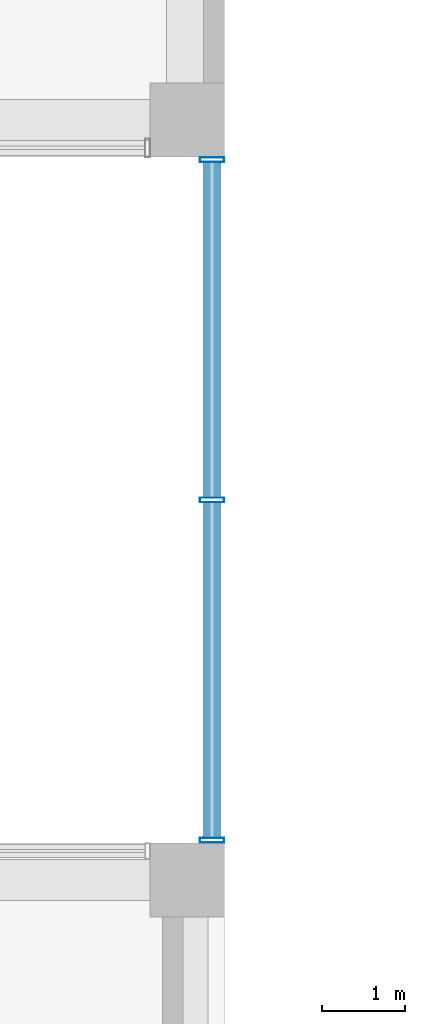
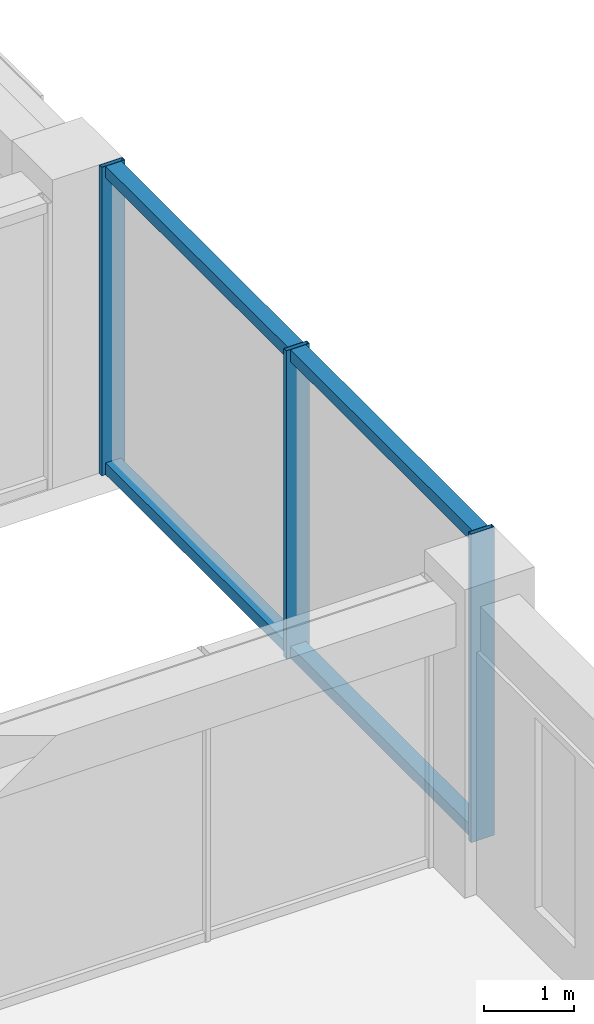
# One storey, part 19 of 36: 7 members, 1 element without a shape of its own.
"""IFC4 building model written with IfcOpenShell, lengths in metres."""

from ifc_helpers import new_model, si_unit, direction, frame, origin, origin_2d, place, context, subcontext, project, spatial, hollow_rectangle, extrude, material, layer, layer_set, material_profile, profile_set, type_object, element, aggregate, save


model = new_model("IFC4")

# Units and contexts
model_context = context("Model", 3, precision=1e-05, world=origin(), true_north=direction((0.0, 1.0)))
body_context = subcontext(model_context, "Body", "Model", "MODEL_VIEW")
ifc_project = project(units=[si_unit("LENGTHUNIT", "METRE"), si_unit("AREAUNIT", "SQUARE_METRE"), si_unit("VOLUMEUNIT", "CUBIC_METRE"), si_unit("PLANEANGLEUNIT", "RADIAN"), si_unit("MASSUNIT", "GRAM", prefix="KILO")], contexts=[model_context])

# Site, building, storey
site_placement = place(None, origin())
site = spatial("IfcSite", under=ifc_project, at=site_placement, CompositionType="ELEMENT")
building_placement = place(site_placement, origin())
building = spatial("IfcBuilding", under=site, at=building_placement, Name="Nzadi Deep Aquarium and Research Tower", CompositionType="ELEMENT")
storey_placement = place(building_placement, frame((0.0, 0.0, 36.10009765625)))
storey = spatial("IfcBuildingStorey", under=building, at=storey_placement, Name="L06", CompositionType="ELEMENT", Elevation=36.10009765625)

# Curtain wall, members
ifc_material_1 = material(Name="Aluminium unitised frame wind post", Category="aluminium")
ifc_layer = layer(ifc_material_1, 0.300048828125)
ifc_layer_set = layer_set([ifc_layer], Name="Aluminium unitised frame wind post")
curtain_wall_type = type_object("IfcCurtainWallType", Name="Curtain wall Slot End 300", PredefinedType="NOTDEFINED", material=ifc_layer_set)
curtain_wall_placement = place(storey_placement, origin())
curtain_wall = element("IfcCurtainWall", 1, at=curtain_wall_placement, inside=storey, type_object=curtain_wall_type, Name="Glazed slot end east L06", PredefinedType="NOTDEFINED")
ifc_material_2 = material(Name="Aluminium unitised frame wind post", Category="aluminium")
ifc_material_profile_1 = material_profile(ifc_material_2, hollow_rectangle(XDim=0.300048828125, YDim=0.06005859375, WallThickness=0.0048828125, at=origin_2d()))
ifc_profile_set_1 = profile_set([ifc_material_profile_1], Name="Aluminium unitised frame wind post")
member_type_1 = type_object("IfcMemberType", Name="Mullion 60x300 Slot End", PredefinedType="MULLION", material=ifc_profile_set_1)
member_1_placement = place(storey_placement, frame((48.300048828125, 18.8798828125, 0.0), z_axis=(0.0, 0.0, 1.0), x_axis=(-1.0, 0.0, 0.0)))
member_1 = element("IfcMember", 2, at=member_1_placement, type_object=member_type_1, Name="CW204 mullion 1", PredefinedType="MULLION", context=body_context, shape_type="SweptSolid", body=[
    extrude(hollow_rectangle(XDim=0.300048828125, YDim=0.06005859375, WallThickness=0.0048828125, at=origin_2d()), origin(), (0.0, 0.0, 1.0), 4.199951171875),
])
member_2_placement = place(storey_placement, frame((48.300048828125, 23.0, 0.0), z_axis=(0.0, 0.0, 1.0), x_axis=(-1.0, 0.0, 0.0)))
member_2 = element("IfcMember", 3, at=member_2_placement, type_object=member_type_1, Name="CW204 mullion 2", PredefinedType="MULLION", context=body_context, shape_type="SweptSolid", body=[
    extrude(hollow_rectangle(XDim=0.300048828125, YDim=0.06005859375, WallThickness=0.0048828125, at=origin_2d()), origin(), (0.0, 0.0, 1.0), 4.199951171875),
])
member_3_placement = place(storey_placement, frame((48.300048828125, 27.1201171875, 0.0), z_axis=(0.0, 0.0, 1.0), x_axis=(-1.0, 0.0, 0.0)))
member_3 = element("IfcMember", 4, at=member_3_placement, type_object=member_type_1, Name="CW204 mullion 3", PredefinedType="MULLION", context=body_context, shape_type="SweptSolid", body=[
    extrude(hollow_rectangle(XDim=0.300048828125, YDim=0.06005859375, WallThickness=0.0048828125, at=origin_2d()), origin(), (0.0, 0.0, 1.0), 4.199951171875),
])
ifc_material_3 = material(Name="Aluminium unitised frame wind post", Category="aluminium")
ifc_material_profile_2 = material_profile(ifc_material_3, hollow_rectangle(XDim=0.199951171875, YDim=0.159912109375, WallThickness=0.0048828125, at=origin_2d()))
ifc_profile_set_2 = profile_set([ifc_material_profile_2], Name="Aluminium unitised frame wind post")
member_type_2 = type_object("IfcMemberType", Name="Transom 160x200 Slot End", PredefinedType="MULLION", material=ifc_profile_set_2)
member_4_placement = place(storey_placement, frame((48.300048828125, 18.909912109375, 0.079833984375), z_axis=(0.0, 1.0, 0.0), x_axis=(-1.0, 0.0, 0.0)))
member_4 = element("IfcMember", 5, at=member_4_placement, type_object=member_type_2, Name="CW204 transom 1.1", PredefinedType="MULLION", context=body_context, shape_type="SweptSolid", body=[
    extrude(hollow_rectangle(XDim=0.199951171875, YDim=0.159912109375, WallThickness=0.0048828125, at=origin_2d()), origin(), (0.0, 0.0, 1.0), 4.06005859375),
])
member_5_placement = place(storey_placement, frame((48.300048828125, 18.909912109375, 4.119873046875), z_axis=(0.0, 1.0, 0.0), x_axis=(-1.0, 0.0, 0.0)))
member_5 = element("IfcMember", 6, at=member_5_placement, type_object=member_type_2, Name="CW204 transom 1.2", PredefinedType="MULLION", context=body_context, shape_type="SweptSolid", body=[
    extrude(hollow_rectangle(XDim=0.199951171875, YDim=0.159912109375, WallThickness=0.0048828125, at=origin_2d()), origin(), (0.0, 0.0, 1.0), 4.06005859375),
])
member_6_placement = place(storey_placement, frame((48.300048828125, 23.030029296875, 0.079833984375), z_axis=(0.0, 1.0, 0.0), x_axis=(-1.0, 0.0, 0.0)))
member_6 = element("IfcMember", 7, at=member_6_placement, type_object=member_type_2, Name="CW204 transom 2.1", PredefinedType="MULLION", context=body_context, shape_type="SweptSolid", body=[
    extrude(hollow_rectangle(XDim=0.199951171875, YDim=0.159912109375, WallThickness=0.0048828125, at=origin_2d()), origin(), (0.0, 0.0, 1.0), 4.06005859375),
])
member_7_placement = place(storey_placement, frame((48.300048828125, 23.030029296875, 4.119873046875), z_axis=(0.0, 1.0, 0.0), x_axis=(-1.0, 0.0, 0.0)))
member_7 = element("IfcMember", 8, at=member_7_placement, type_object=member_type_2, Name="CW204 transom 2.2", PredefinedType="MULLION", context=body_context, shape_type="SweptSolid", body=[
    extrude(hollow_rectangle(XDim=0.199951171875, YDim=0.159912109375, WallThickness=0.0048828125, at=origin_2d()), origin(), (0.0, 0.0, 1.0), 4.06005859375),
])
aggregate(curtain_wall, [member_1, member_2, member_3, member_4, member_5, member_6, member_7])

save(model, "model.ifc")
